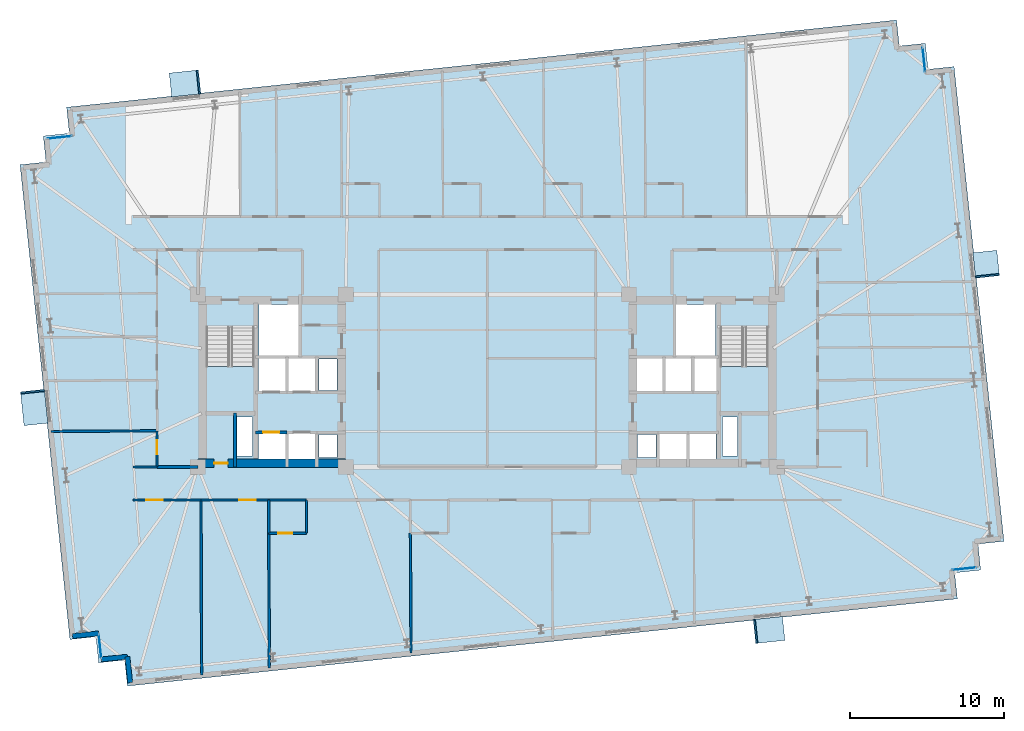
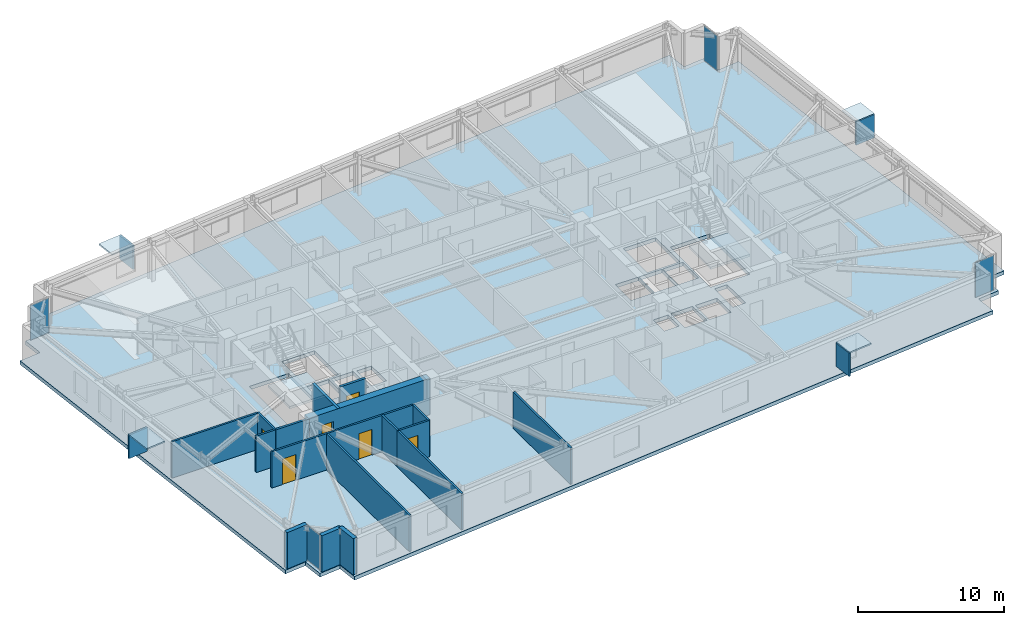
# One storey, part 11 of 19: 19 walls, 12 plates, 6 doors, 3 slabs, 6 openings, 6 elements without a shape of their own.
"""IFC4 building model written with IfcOpenShell, lengths in metres."""

import ifcopenshell
import ifcopenshell.guid

model = None  # the IFC model being written
_history = None  # IfcOwnerHistory: only IFC2X3 demands one
_inside = {}  # id of a spatial element -> (the spatial element, [elements in it])
_under = {}  # id of a project, library or spatial element -> (it, [spatial elements below it])
_declared = {}  # id of a project -> (the project, [libraries it declares])
_typed = {}  # id of a type object -> (the type object, [elements of that type])
_made_of = {}  # id of a material, layer set ... -> (it, [elements and type objects made of it])


def new_model(schema):
    """Start an empty IFC model of exactly this schema.

    Asked for "IFC4X3", IfcOpenShell would pick the latest addendum, in which some entities
    have other attributes; the version numbers below select the first issue.
    IFC2X3 requires an IfcOwnerHistory on every rooted entity: one is made here for all.
    """
    global model, _history
    if schema == "IFC4X3":
        model = ifcopenshell.file(schema_version=(4, 3, 0, 0))
    else:
        model = ifcopenshell.file(schema=schema)
    _inside.clear()
    _under.clear()
    _declared.clear()
    _typed.clear()
    _made_of.clear()
    _history = None
    if model.schema == "IFC2X3":
        org = make("IfcOrganization", Name="unknown")
        user = make(
            "IfcPersonAndOrganization",
            ThePerson=make("IfcPerson", FamilyName="unknown"),
            TheOrganization=org,
        )
        app = make(
            "IfcApplication",
            ApplicationDeveloper=org,
            Version="unknown",
            ApplicationFullName="unknown",
            ApplicationIdentifier="unknown",
        )
        _history = make(
            "IfcOwnerHistory",
            OwningUser=user,
            OwningApplication=app,
            ChangeAction="ADDED",
            CreationDate=0,
        )
    return model


def make(cls, **values):
    """One entity of the class cls with the attributes given. An attribute that is None is left unset."""
    return model.create_entity(
        cls, **{name: value for name, value in values.items() if value is not None}
    )


def rooted(cls, **values):
    """An entity with a GlobalId (a new one), such as an element, a storey or a relation."""
    return make(cls, GlobalId=ifcopenshell.guid.new(), OwnerHistory=_history, **values)


def si_unit(unit_type, name, prefix=None):
    """IfcSIUnit, for example si_unit("LENGTHUNIT", "METRE", prefix="MILLI")."""
    return make("IfcSIUnit", UnitType=unit_type, Prefix=prefix, Name=name)


def assignment(units):
    """IfcUnitAssignment: the units of a project."""
    return None if units is None else make("IfcUnitAssignment", Units=units)


def point(xyz):
    """IfcCartesianPoint."""
    return None if xyz is None else make("IfcCartesianPoint", Coordinates=xyz)


def direction(xyz):
    """IfcDirection."""
    return None if xyz is None else make("IfcDirection", DirectionRatios=xyz)


def frame(location, z_axis=None, x_axis=None):
    """IfcAxis2Placement3D, a coordinate frame: its origin and axes. An axis left out is left unset."""
    return make(
        "IfcAxis2Placement3D",
        Location=point(location),
        Axis=direction(z_axis),
        RefDirection=direction(x_axis),
    )


def frame_2d(location, x_axis=None):
    """IfcAxis2Placement2D, a coordinate frame in the plane: its origin and x axis."""
    return make(
        "IfcAxis2Placement2D", Location=point(location), RefDirection=direction(x_axis)
    )


def origin():
    """The frame at (0, 0, 0) with its axes left unset."""
    return frame((0.0, 0.0, 0.0))


def origin_2d():
    """The frame at (0, 0) in the plane with its x axis left unset."""
    return frame_2d((0.0, 0.0))


def place(relative_to, where):
    """IfcLocalPlacement: puts the frame where relative to a parent placement (None: the world)."""
    return make(
        "IfcLocalPlacement", PlacementRelTo=relative_to, RelativePlacement=where
    )


def context(
    kind, dimensions, precision=None, world=None, true_north=None, identifier=None
):
    """IfcGeometricRepresentationContext, for example the 3D "Model" context."""
    return make(
        "IfcGeometricRepresentationContext",
        ContextIdentifier=identifier,
        ContextType=kind,
        CoordinateSpaceDimension=dimensions,
        Precision=precision,
        WorldCoordinateSystem=world,
        TrueNorth=true_north,
    )


def subcontext(parent, identifier, kind, view, scale=None):
    """IfcGeometricRepresentationSubContext, for example "Body" below "Model"."""
    return make(
        "IfcGeometricRepresentationSubContext",
        ContextIdentifier=identifier,
        ContextType=kind,
        ParentContext=parent,
        TargetScale=scale,
        TargetView=view,
    )


def project(units=None, contexts=None):
    """IfcProject with its units and contexts."""
    return rooted(
        "IfcProject",
        Name="project",
        RepresentationContexts=contexts,
        UnitsInContext=assignment(units),
    )


def spatial(cls, under=None, at=None, **own):
    """A site, building, storey or space (cls), placed at a placement, below another one or the project."""
    s = rooted(cls, ObjectPlacement=at, **own)
    if under is not None:
        _under.setdefault(under.id(), (under, []))[1].append(s)
    return s


def polyline(points):
    """IfcPolyline through the points."""
    return make("IfcPolyline", Points=[point(p) for p in points])


def profile(cls, at=None, kind="AREA", **sizes):
    """A parametric profile (cls). Its sizes go by their IFC names, for example OverallWidth=200.0."""
    return make(cls, ProfileType=kind, Position=at, **sizes)


def rectangle(**sizes):
    """IfcRectangleProfileDef."""
    return profile("IfcRectangleProfileDef", **sizes)


def outline(outer, holes=None, kind="AREA"):
    """IfcArbitraryClosedProfileDef: a profile drawn as a closed curve; with holes, ...WithVoids."""
    if holes is None:
        return make("IfcArbitraryClosedProfileDef", ProfileType=kind, OuterCurve=outer)
    return make(
        "IfcArbitraryProfileDefWithVoids",
        ProfileType=kind,
        OuterCurve=outer,
        InnerCurves=holes,
    )


def extrude(swept, where, along, depth):
    """IfcExtrudedAreaSolid: the profile swept, set in the frame where, extruded along a direction by depth."""
    return make(
        "IfcExtrudedAreaSolid",
        SweptArea=swept,
        Position=where,
        ExtrudedDirection=direction(along),
        Depth=depth,
    )


def shape(context_of_items, identifier, shape_type, items):
    """IfcShapeRepresentation: the items that make up one representation, for example the "Body"."""
    return make(
        "IfcShapeRepresentation",
        ContextOfItems=context_of_items,
        RepresentationIdentifier=identifier,
        RepresentationType=shape_type,
        Items=items,
    )


def material(Name=None, Category=None):
    """IfcMaterial."""
    return make("IfcMaterial", Name=Name, Category=Category)


def layer(
    of_material, thickness, ventilated=None, Name=None, Category=None, Priority=None
):
    """IfcMaterialLayer: one layer of a wall or slab, of a material (None: an air gap)."""
    return make(
        "IfcMaterialLayer",
        Material=of_material,
        LayerThickness=thickness,
        IsVentilated=ventilated,
        Name=Name,
        Category=Category,
        Priority=Priority,
    )


def layer_set(layers, Name=None):
    """IfcMaterialLayerSet."""
    return make("IfcMaterialLayerSet", MaterialLayers=layers, LayerSetName=Name)


def made_of(thing, what):
    """Note that an element or type object is made of a material, layer set ...; save() writes the relation."""
    if what is not None:
        _made_of.setdefault(what.id(), (what, []))[1].append(thing)
    return thing


def type_object(cls, material=None, **own):
    """A type object (cls), such as IfcWallType, which elements share."""
    return made_of(rooted(cls, **own), material)


def element(
    cls,
    number,
    at=None,
    inside=None,
    cuts=None,
    type_object=None,
    material=None,
    context=None,
    identifier="Body",
    shape_type=None,
    held_by="IfcProductDefinitionShape",
    body=None,
    shapes=None,
    **own,
):
    """One element of the class cls, such as IfcWall. Its Tag is "e" and its number.

    at: its placement. inside: the storey or other place that contains it. cuts: it is an
    opening in that element (IfcRelVoidsElement). A single representation is given by context,
    identifier, shape_type and body (its items); several are given by shapes. held_by: the class
    of the entity that holds the representations. save() writes the other relations.
    """
    e = rooted(cls, Tag="e%d" % number, ObjectPlacement=at, **own)
    if body is not None:
        shapes = [shape(context, identifier, shape_type, body)]
    if shapes is not None:
        e.Representation = make(held_by, Representations=shapes)
    if inside is not None:
        _inside.setdefault(inside.id(), (inside, []))[1].append(e)
    if cuts is not None:
        rooted(
            "IfcRelVoidsElement", RelatingBuildingElement=cuts, RelatedOpeningElement=e
        )
    if type_object is not None:
        _typed.setdefault(type_object.id(), (type_object, []))[1].append(e)
    return made_of(e, material)


def fill(opening, filler):
    """IfcRelFillsElement: the door or window that sits in an opening."""
    return rooted(
        "IfcRelFillsElement",
        RelatingOpeningElement=opening,
        RelatedBuildingElement=filler,
    )


def aggregate(whole, parts):
    """IfcRelAggregates: a whole, such as a stair, and the parts it consists of."""
    return rooted("IfcRelAggregates", RelatingObject=whole, RelatedObjects=parts)


def save(model, path):
    """Write the relations noted so far, then the file.

    IfcRelAggregates (storeys below a building ...), IfcRelContainedInSpatialStructure (elements
    in a storey), IfcRelDefinesByType, IfcRelAssociatesMaterial and IfcRelDeclares: one each for
    every whole, place, type object, material and project.
    """
    for whole, parts in _under.values():
        aggregate(whole, parts)
    for where, things in _inside.values():
        rooted(
            "IfcRelContainedInSpatialStructure",
            RelatedElements=things,
            RelatingStructure=where,
        )
    for kind, things in _typed.values():
        rooted("IfcRelDefinesByType", RelatedObjects=things, RelatingType=kind)
    for what, things in _made_of.values():
        rooted("IfcRelAssociatesMaterial", RelatedObjects=things, RelatingMaterial=what)
    for by, libraries in _declared.values():
        rooted("IfcRelDeclares", RelatingContext=by, RelatedDefinitions=libraries)
    model.write(path)


model = new_model("IFC4")

# Units and contexts
model_context = context("Model", 3, precision=1e-05, world=origin(), true_north=direction((0.0, 1.0)))
body_context = subcontext(model_context, "Body", "Model", "MODEL_VIEW")
ifc_project = project(units=[si_unit("LENGTHUNIT", "METRE"), si_unit("AREAUNIT", "SQUARE_METRE"), si_unit("VOLUMEUNIT", "CUBIC_METRE"), si_unit("PLANEANGLEUNIT", "RADIAN"), si_unit("MASSUNIT", "GRAM", prefix="KILO")], contexts=[model_context])

# Site, building, storey
site_placement = place(None, origin())
site = spatial("IfcSite", under=ifc_project, at=site_placement, CompositionType="ELEMENT")
building_placement = place(site_placement, origin())
building = spatial("IfcBuilding", under=site, at=building_placement, Name="Qobustan Lattice House", CompositionType="ELEMENT")
storey_placement = place(building_placement, frame((0.0, 0.0, 82.35009765625)))
storey = spatial("IfcBuildingStorey", under=building, at=storey_placement, Name="L22", CompositionType="ELEMENT", Elevation=82.35009765625)

# Curtain wall, plate
ifc_material_1 = material(Name="Anodised aluminium and low-E glazing", Category="aluminium")
ifc_layer_1 = layer(ifc_material_1, 0.219970703125)
ifc_layer_set_1 = layer_set([ifc_layer_1], Name="Anodised aluminium and low-E glazing")
curtain_wall_type = type_object("IfcCurtainWallType", Name="CW-FAC-01", PredefinedType="USERDEFINED", material=ifc_layer_set_1)
curtain_wall_1_placement = place(storey_placement, origin())
curtain_wall_1 = element("IfcCurtainWall", 1, at=curtain_wall_1_placement, inside=storey, type_object=curtain_wall_type, Name="L22 serrated corner faceted glazing 3", ObjectType="CURTAIN WALL", PredefinedType="USERDEFINED")
ifc_material_2 = material(Name="Clear low-E laminated glass", Category="glass")
ifc_layer_2 = layer(ifc_material_2, 0.031982421875)
ifc_layer_set_2 = layer_set([ifc_layer_2], Name="Clear low-E laminated glass")
plate_type_1 = type_object("IfcPlateType", Name="CWP-VISION-32", PredefinedType="CURTAIN_PANEL", material=ifc_layer_set_2)
plate_1_placement = place(storey_placement, frame((-25.155029296875, -17.2509765625, 0.06494140625), z_axis=(0.0, 0.0, 1.0), x_axis=(-0.104528620025, 0.994521878892, 0.0)))
plate_1 = element("IfcPlate", 2, at=plate_1_placement, type_object=plate_type_1, Name="CW-F1 panel 1.1", PredefinedType="CURTAIN_PANEL", context=body_context, shape_type="SweptSolid", body=[
    extrude(rectangle(XDim=1.56005859375, YDim=0.031982421875, at=origin_2d()), origin(), (0.0, 0.0, 1.0), 2.9150390625),
])
aggregate(curtain_wall_1, [plate_1])

curtain_wall_2_placement = place(storey_placement, origin())
curtain_wall_2 = element("IfcCurtainWall", 3, at=curtain_wall_2_placement, inside=storey, type_object=curtain_wall_type, Name="L22 serrated corner faceted glazing 8", ObjectType="CURTAIN WALL", PredefinedType="USERDEFINED")
plate_2_placement = place(storey_placement, frame((-27.77490234375, 15.80615234375, 0.06494140625), z_axis=(0.0, 0.0, 1.0), x_axis=(0.994521878892, 0.104528620025, 0.0)))
plate_2 = element("IfcPlate", 4, at=plate_2_placement, type_object=plate_type_1, Name="CW-F1 panel 1.1", PredefinedType="CURTAIN_PANEL", context=body_context, shape_type="SweptSolid", body=[
    extrude(rectangle(XDim=1.56005859375, YDim=0.031982421875, at=origin_2d()), origin(), (0.0, 0.0, 1.0), 2.9150390625),
])
aggregate(curtain_wall_2, [plate_2])

curtain_wall_3_placement = place(storey_placement, origin())
curtain_wall_3 = element("IfcCurtainWall", 5, at=curtain_wall_3_placement, inside=storey, type_object=curtain_wall_type, Name="L22 serrated corner faceted glazing 13", ObjectType="CURTAIN WALL", PredefinedType="USERDEFINED")
plate_3_placement = place(storey_placement, frame((28.355224609375, 20.85107421875, 0.06494140625), z_axis=(0.0, 0.0, 1.0), x_axis=(0.104528620025, -0.994521878892, 0.0)))
plate_3 = element("IfcPlate", 6, at=plate_3_placement, type_object=plate_type_1, Name="CW-F1 panel 1.1", PredefinedType="CURTAIN_PANEL", context=body_context, shape_type="SweptSolid", body=[
    extrude(rectangle(XDim=1.56005859375, YDim=0.031982421875, at=origin_2d()), origin(), (0.0, 0.0, 1.0), 2.9150390625),
])
aggregate(curtain_wall_3, [plate_3])

curtain_wall_4_placement = place(storey_placement, origin())
curtain_wall_4 = element("IfcCurtainWall", 7, at=curtain_wall_4_placement, inside=storey, type_object=curtain_wall_type, Name="L22 serrated corner faceted glazing 18", ObjectType="CURTAIN WALL", PredefinedType="USERDEFINED")
plate_4_placement = place(storey_placement, frame((30.974853515625, -12.206298828125, 0.06494140625), z_axis=(0.0, 0.0, 1.0), x_axis=(-0.994521878892, -0.104528620025, 0.0)))
plate_4 = element("IfcPlate", 8, at=plate_4_placement, type_object=plate_type_1, Name="CW-F1 panel 1.1", PredefinedType="CURTAIN_PANEL", context=body_context, shape_type="SweptSolid", body=[
    extrude(rectangle(XDim=1.56005859375, YDim=0.031982421875, at=origin_2d()), origin(), (0.0, 0.0, 1.0), 2.9150390625),
])
aggregate(curtain_wall_4, [plate_4])

# Plates
ifc_material_3 = material(Name="Qobustan limestone GFRC", Category="masonry")
ifc_layer_3 = layer(ifc_material_3, 0.1201171875)
ifc_layer_set_3 = layer_set([ifc_layer_3], Name="Qobustan limestone GFRC")
plate_type_2 = type_object("IfcPlateType", Name="SHD-HOOD-BROW", PredefinedType="USERDEFINED", material=ifc_layer_set_3)
plate_5_placement = place(storey_placement, frame((-29.4296875, -1.743408203125, 2.699951171875), z_axis=(0.0, 0.0, 1.0), x_axis=(-0.104528463268, 0.994521895368, 0.0)))
element("IfcPlate", 9, at=plate_5_placement, inside=storey, type_object=plate_type_2, Name="L22 splayed Qobustan stone hood brow", ObjectType="SUNSHADE", PredefinedType="USERDEFINED", context=body_context, shape_type="SweptSolid", body=[
    extrude(rectangle(XDim=2.18994140625, YDim=1.56005859375, at=origin_2d()), origin(), (0.0, 0.0, 1.0), 0.1201171875),
])
plate_6_placement = place(storey_placement, frame((-29.537841796875, -0.714111328125, 0.7900390625), z_axis=(0.0, 0.0, 1.0), x_axis=(-0.104528463268, 0.994521895368, 0.0)))
element("IfcPlate", 10, at=plate_6_placement, inside=storey, type_object=plate_type_2, Name="L22 splayed Qobustan stone hood cheek", ObjectType="SUNSHADE", PredefinedType="USERDEFINED", context=body_context, shape_type="SweptSolid", body=[
    extrude(rectangle(XDim=0.1201171875, YDim=1.56005859375, at=origin_2d()), origin(), (0.0, 0.0, 1.0), 1.969970703125),
])
plate_7_placement = place(storey_placement, frame((-19.640380859375, 19.3056640625, 2.699951171875), z_axis=(0.0, 0.0, 1.0), x_axis=(0.994521895368, 0.104528463268, 0.0)))
element("IfcPlate", 11, at=plate_7_placement, inside=storey, type_object=plate_type_2, Name="L22 splayed Qobustan stone hood brow", ObjectType="SUNSHADE", PredefinedType="USERDEFINED", context=body_context, shape_type="SweptSolid", body=[
    extrude(rectangle(XDim=1.889892578125, YDim=1.56005859375, at=origin_2d()), origin(), (0.0, 0.0, 1.0), 0.1201171875),
])
plate_8_placement = place(storey_placement, frame((-18.76025390625, 19.398193359375, 0.7900390625), z_axis=(0.0, 0.0, 1.0), x_axis=(0.994521895368, 0.104528463268, 0.0)))
element("IfcPlate", 12, at=plate_8_placement, inside=storey, type_object=plate_type_2, Name="L22 splayed Qobustan stone hood cheek", ObjectType="SUNSHADE", PredefinedType="USERDEFINED", context=body_context, shape_type="SweptSolid", body=[
    extrude(rectangle(XDim=0.1201171875, YDim=1.56005859375, at=origin_2d()), origin(), (0.0, 0.0, 1.0), 1.969970703125),
])
plate_9_placement = place(storey_placement, frame((32.39501953125, 7.573974609375, 2.699951171875), z_axis=(0.0, 0.0, 1.0), x_axis=(0.104528463268, -0.994521895368, 0.0)))
element("IfcPlate", 13, at=plate_9_placement, inside=storey, type_object=plate_type_2, Name="L22 splayed Qobustan stone hood brow", ObjectType="SUNSHADE", PredefinedType="USERDEFINED", context=body_context, shape_type="SweptSolid", body=[
    extrude(rectangle(XDim=1.639892578125, YDim=1.56005859375, at=origin_2d()), origin(), (0.0, 0.0, 1.0), 0.1201171875),
])
plate_10_placement = place(storey_placement, frame((32.474609375, 6.818115234375, 0.7900390625), z_axis=(0.0, 0.0, 1.0), x_axis=(0.104528463268, -0.994521895368, 0.0)))
element("IfcPlate", 14, at=plate_10_placement, inside=storey, type_object=plate_type_2, Name="L22 splayed Qobustan stone hood cheek", ObjectType="SUNSHADE", PredefinedType="USERDEFINED", context=body_context, shape_type="SweptSolid", body=[
    extrude(rectangle(XDim=0.1201171875, YDim=1.56005859375, at=origin_2d()), origin(), (0.0, 0.0, 1.0), 1.969970703125),
])
plate_11_placement = place(storey_placement, frame((18.302001953125, -16.1826171875, 2.699951171875), z_axis=(0.0, 0.0, 1.0), x_axis=(-0.994521895368, -0.104528463268, 0.0)))
element("IfcPlate", 15, at=plate_11_placement, inside=storey, type_object=plate_type_2, Name="L22 splayed Qobustan stone hood brow", ObjectType="SUNSHADE", PredefinedType="USERDEFINED", context=body_context, shape_type="SweptSolid", body=[
    extrude(rectangle(XDim=1.889892578125, YDim=1.56005859375, at=origin_2d()), origin(), (0.0, 0.0, 1.0), 0.1201171875),
])
plate_12_placement = place(storey_placement, frame((17.421875, -16.275146484375, 0.7900390625), z_axis=(0.0, 0.0, 1.0), x_axis=(-0.994521895368, -0.104528463268, 0.0)))
element("IfcPlate", 16, at=plate_12_placement, inside=storey, type_object=plate_type_2, Name="L22 splayed Qobustan stone hood cheek", ObjectType="SUNSHADE", PredefinedType="USERDEFINED", context=body_context, shape_type="SweptSolid", body=[
    extrude(rectangle(XDim=0.1201171875, YDim=1.56005859375, at=origin_2d()), origin(), (0.0, 0.0, 1.0), 1.969970703125),
])

# Slab
ifc_material_4 = material(Name="Concrete C40/50", Category="concrete")
ifc_layer_4 = layer(ifc_material_4, 0.304931640625)
ifc_layer_set_4 = layer_set([ifc_layer_4], Name="Concrete C40/50")
slab_type_1 = type_object("IfcSlabType", Name="SLB-FLR-305", PredefinedType="FLOOR", material=ifc_layer_set_4)
slab_1_placement = place(storey_placement, frame((0.0, 0.0, -0.30517578125)))
element("IfcSlab", 17, at=slab_1_placement, inside=storey, type_object=slab_type_1, Name="L22 structural floor slab", PredefinedType="FLOOR", context=body_context, shape_type="SweptSolid", body=[
    extrude(outline(polyline([(-23.3759765625, -19.8291015625), (30.527099609375, -14.163818359375), (30.349365234375, -12.47314453125), (32.0400390625, -12.29541015625), (31.8623046875, -10.604736328125), (33.552978515625, -10.427001953125), (30.312744140625, 20.4033203125), (28.6220703125, 20.2255859375), (28.4443359375, 21.916259765625), (26.753662109375, 21.738525390625), (26.575927734375, 23.42919921875), (-27.3271484375, 17.763671875), (-27.1494140625, 16.072998046875), (-28.840087890625, 15.8955078125), (-28.662353515625, 14.20458984375), (-30.35302734375, 14.027099609375), (-27.11279296875, -16.80322265625), (-25.422119140625, -16.62548828125), (-25.244384765625, -18.316162109375), (-23.5537109375, -18.138427734375), (-23.3759765625, -19.8291015625)]), holes=[polyline([(-18.25, -2.050048828125), (-18.25, 3.489990234375), (-15.1298828125, 3.489990234375), (-15.1298828125, -2.050048828125), (-18.25, -2.050048828125)]), polyline([(15.1298828125, -2.050048828125), (15.1298828125, 3.489990234375), (18.25, 3.489990234375), (18.25, -2.050048828125), (15.1298828125, -2.050048828125)]), polyline([(-14.820068359375, 1.64990234375), (-14.820068359375, 4.9599609375), (-12.25, 4.9599609375), (-12.25, 1.64990234375), (-14.820068359375, 1.64990234375)]), polyline([(12.25, 1.64990234375), (12.25, 4.9599609375), (14.820068359375, 4.9599609375), (14.820068359375, 1.64990234375), (12.25, 1.64990234375)]), polyline([(-16.260009765625, -4.8798828125), (-16.260009765625, -2.360107421875), (-15.260009765625, -2.360107421875), (-15.260009765625, -4.8798828125), (-16.260009765625, -4.8798828125)]), polyline([(15.260009765625, -4.8798828125), (15.260009765625, -2.360107421875), (16.260009765625, -2.360107421875), (16.260009765625, -4.8798828125), (15.260009765625, -4.8798828125)]), polyline([(-14.85009765625, -5.35009765625), (-14.85009765625, -3.419921875), (-13.1201171875, -3.419921875), (-13.1201171875, -5.35009765625), (-14.85009765625, -5.35009765625)]), polyline([(-12.919921875, -5.35009765625), (-12.919921875, -3.419921875), (-11.179931640625, -3.419921875), (-11.179931640625, -5.35009765625), (-12.919921875, -5.35009765625)]), polyline([(-14.85009765625, -0.679931640625), (-14.85009765625, 1.47998046875), (-13.1201171875, 1.47998046875), (-13.1201171875, -0.679931640625), (-14.85009765625, -0.679931640625)]), polyline([(-12.919921875, -0.679931640625), (-12.919921875, 1.47998046875), (-11.179931640625, 1.47998046875), (-11.179931640625, -0.679931640625), (-12.919921875, -0.679931640625)]), polyline([(-10.93994140625, -5.0), (-10.93994140625, -3.47998046875), (-9.760009765625, -3.47998046875), (-9.760009765625, -5.0), (-10.93994140625, -5.0)]), polyline([(-10.93994140625, -0.6201171875), (-10.93994140625, 1.419921875), (-9.760009765625, 1.419921875), (-9.760009765625, -0.6201171875), (-10.93994140625, -0.6201171875)]), polyline([(11.179931640625, -5.35009765625), (11.179931640625, -3.419921875), (12.919921875, -3.419921875), (12.919921875, -5.35009765625), (11.179931640625, -5.35009765625)]), polyline([(13.1201171875, -5.35009765625), (13.1201171875, -3.419921875), (14.85009765625, -3.419921875), (14.85009765625, -5.35009765625), (13.1201171875, -5.35009765625)]), polyline([(9.760009765625, -5.0), (9.760009765625, -3.47998046875), (10.93994140625, -3.47998046875), (10.93994140625, -5.0), (9.760009765625, -5.0)]), polyline([(13.360107421875, -0.679931640625), (13.360107421875, 1.47998046875), (14.97998046875, 1.47998046875), (14.97998046875, -0.679931640625), (13.360107421875, -0.679931640625)]), polyline([(9.6201171875, -0.679931640625), (9.6201171875, 1.47998046875), (11.43994140625, 1.47998046875), (11.43994140625, -0.679931640625), (9.6201171875, -0.679931640625)]), polyline([(11.5, -0.679931640625), (11.5, 1.47998046875), (13.320068359375, 1.47998046875), (13.320068359375, -0.679931640625), (11.5, -0.679931640625)])]), origin(), (0.0, 0.0, 1.0), 0.30517578125),
])

# Stair, slab
ifc_material_5 = material(Name="Concrete C40/50", Category="concrete")
stair_type = type_object("IfcStairType", Name="STR-CORE-DOGLEG", PredefinedType="HALF_TURN_STAIR", material=ifc_material_5)
stair_1_placement = place(storey_placement, origin())
stair_1 = element("IfcStair", 18, at=stair_1_placement, inside=storey, type_object=stair_type, Name="L22 West protected exit stair ST-W1", PredefinedType="HALF_TURN_STAIR")
ifc_material_6 = material(Name="Concrete C40/50", Category="concrete")
ifc_layer_5 = layer(ifc_material_6, 0.199951171875)
ifc_layer_set_5 = layer_set([ifc_layer_5], Name="Concrete C40/50")
slab_type_2 = type_object("IfcSlabType", Name="SLB-LANDING-200", PredefinedType="LANDING", material=ifc_layer_set_5)
slab_2_placement = place(storey_placement, frame((0.0, 0.0, 1.474853515625)))
slab_2 = element("IfcSlab", 19, at=slab_2_placement, type_object=slab_type_2, Name="ST-W1 landing 1", PredefinedType="LANDING", context=body_context, shape_type="SweptSolid", body=[
    extrude(outline(polyline([(-18.25, 0.93505859375), (-18.25, -2.050048828125), (-15.1298828125, -2.050048828125), (-15.1298828125, 0.93505859375), (-18.25, 0.93505859375)])), origin(), (0.0, 0.0, 1.0), 0.199951171875),
])
aggregate(stair_1, [slab_2])

stair_2_placement = place(storey_placement, origin())
stair_2 = element("IfcStair", 20, at=stair_2_placement, inside=storey, type_object=stair_type, Name="L22 East protected exit stair ST-E1", PredefinedType="HALF_TURN_STAIR")
slab_3_placement = place(storey_placement, frame((0.0, 0.0, 1.474853515625)))
slab_3 = element("IfcSlab", 21, at=slab_3_placement, type_object=slab_type_2, Name="ST-E1 landing 1", PredefinedType="LANDING", context=body_context, shape_type="SweptSolid", body=[
    extrude(outline(polyline([(15.1298828125, 0.93505859375), (15.1298828125, -2.050048828125), (18.25, -2.050048828125), (18.25, 0.93505859375), (15.1298828125, 0.93505859375)])), origin(), (0.0, 0.0, 1.0), 0.199951171875),
])
aggregate(stair_2, [slab_3])

# Wall, opening, door
ifc_material_7 = material(Name="Concrete C60/75", Category="concrete")
ifc_layer_6 = layer(ifc_material_7, 0.56005859375)
ifc_layer_set_6 = layer_set([ifc_layer_6], Name="Concrete C60/75")
wall_type_1 = type_object("IfcWallType", Name="WAL-CORE-600", PredefinedType="SHEAR", material=ifc_layer_set_6)
wall_1_placement = place(storey_placement, frame((-18.800048828125, -5.35009765625, 0.0), z_axis=(0.0, 0.0, 1.0), x_axis=(1.0, 0.0, 0.0)))
wall_1 = element("IfcWall", 22, at=wall_1_placement, inside=storey, type_object=wall_type_1, Name="L22 split-core shear wall CW-S", PredefinedType="SHEAR", context=body_context, shape_type="SweptSolid", body=[
    extrude(rectangle(XDim=9.60009765625, YDim=0.56005859375, at=frame_2d((4.800048828125, 0.0))), origin(), (0.0, 0.0, 1.0), 3.044921875),
])
opening_1_placement = place(wall_1_placement, frame((1.050048828125, 0.0, 0.0)))
opening_1 = element("IfcOpeningElement", 23, at=opening_1_placement, cuts=wall_1, Name="Opening RD-01", PredefinedType="OPENING", context=body_context, shape_type="SweptSolid", body=[
    extrude(rectangle(XDim=0.89990234375, YDim=2.10009765625, at=frame_2d((0.449951171875, 1.050048828125))), frame((0.0, 0.2900390625, 0.0), z_axis=(0.0, -1.0, 0.0), x_axis=(1.0, 0.0, 0.0)), (0.0, 0.0, 1.0), 0.580078125),
])
ifc_material_8 = material(Name="Persian walnut timber and steel frame door", Category="steel")
door_type_1 = type_object("IfcDoorType", Name="DOR-RISER-FD-900x2100", OperationType="NOTDEFINED", PredefinedType="DOOR", material=ifc_material_8)
door_1_placement = place(opening_1_placement, origin())
door_1 = element("IfcDoor", 24, at=door_1_placement, inside=storey, type_object=door_type_1, Name="L22 core service riser access door W", OperationType="SINGLE_SWING_LEFT", OverallHeight=2.10009765625, OverallWidth=0.89990234375, PredefinedType="DOOR", context=body_context, shape_type="SweptSolid", body=[
    extrude(rectangle(XDim=0.89990234375, YDim=2.10009765625, at=frame_2d((0.449951171875, 1.050048828125))), frame((0.0, 0.02490234375, 0.0), z_axis=(0.0, -1.0, 0.0), x_axis=(1.0, 0.0, 0.0)), (0.0, 0.0, 1.0), 0.050048828125),
])
fill(opening_1, door_1)

# Walls
ifc_material_9 = material(Name="Precast concrete C40/50", Category="concrete")
ifc_layer_7 = layer(ifc_material_9, 0.320068359375)
ifc_layer_set_7 = layer_set([ifc_layer_7], Name="Precast concrete C40/50")
wall_type_2 = type_object("IfcWallType", Name="WAL-EXT-STONE-320", PredefinedType="SOLIDWALL", material=ifc_layer_set_7)
for number, where, z_axis, x_axis, name in (
    (25, (-23.197998046875, -19.609375, 0.0), (0.0, 0.0, 1.0), (-0.104550220202, 0.994519608382, 0.0), "L22 exterior limestone-clad wall 1"),
    (26, (-23.375732421875, -17.918701171875, 0.0), (0.0, 0.0, 1.0), (-0.994519608382, -0.104550220202, 0.0), "L22 exterior limestone-clad wall 2"),
):
    element("IfcWall", number, at=place(storey_placement, frame(where, z_axis=z_axis, x_axis=x_axis)), inside=storey, type_object=wall_type_2, Name=name, PredefinedType="SOLIDWALL", context=body_context, shape_type="SweptSolid", body=[
        extrude(rectangle(XDim=1.699951171875, YDim=0.320068359375, at=frame_2d((0.85009765625, 0.0))), origin(), (0.0, 0.0, 1.0), 3.044921875),
    ])
wall_2_placement = place(storey_placement, frame((-25.243896484375, -16.40576171875, 0.0), z_axis=(0.0, 0.0, 1.0), x_axis=(-0.994521177842, -0.104535289845, 0.0)))
element("IfcWall", 27, at=wall_2_placement, inside=storey, type_object=wall_type_2, Name="L22 exterior limestone-clad wall 4", PredefinedType="SOLIDWALL", context=body_context, shape_type="SweptSolid", body=[
    extrude(rectangle(XDim=1.7001953125, YDim=0.320068359375, at=frame_2d((0.85009765625, 0.0))), origin(), (0.0, 0.0, 1.0), 3.044921875),
])
ifc_material_10 = material(Name="Gypsum fireboard acoustic partition", Category="gypsum")
ifc_layer_8 = layer(ifc_material_10, 0.179931640625)
ifc_layer_set_8 = layer_set([ifc_layer_8], Name="Gypsum fireboard acoustic partition")
wall_type_3 = type_object("IfcWallType", Name="WAL-FIRE-180", PredefinedType="PARTITIONING", material=ifc_layer_set_8)
wall_3_placement = place(storey_placement, frame((-21.449951171875, -5.60009765625, 0.0), z_axis=(0.0, 0.0, 1.0), x_axis=(1.0, 0.0, 0.0)))
element("IfcWall", 28, at=wall_3_placement, inside=storey, type_object=wall_type_3, Name="L22 interior partition 56", PredefinedType="PARTITIONING", context=body_context, shape_type="SweptSolid", body=[
    extrude(rectangle(XDim=2.64990234375, YDim=0.179931640625, at=frame_2d((1.324951171875, 0.0))), origin(), (0.0, 0.0, 1.0), 3.044921875),
])

# Wall, opening, door
ifc_material_11 = material(Name="Acoustic twin-stud gypsum partition", Category="gypsum")
ifc_layer_9 = layer(ifc_material_11, 0.14990234375)
ifc_layer_set_9 = layer_set([ifc_layer_9], Name="Acoustic twin-stud gypsum partition")
wall_type_4 = type_object("IfcWallType", Name="WAL-PART-150", PredefinedType="PARTITIONING", material=ifc_layer_set_9)
wall_4_placement = place(storey_placement, frame((-18.60009765625, -7.75, 0.0), z_axis=(0.0, 0.0, 1.0), x_axis=(-1.0, 0.0, 0.0)))
wall_4 = element("IfcWall", 29, at=wall_4_placement, inside=storey, type_object=wall_type_4, Name="L22 interior partition 58", PredefinedType="PARTITIONING", context=body_context, shape_type="SweptSolid", body=[
    extrude(rectangle(XDim=4.39990234375, YDim=0.14990234375, at=frame_2d((2.199951171875, 0.0))), origin(), (0.0, 0.0, 1.0), 3.044921875),
])
opening_2_placement = place(wall_4_placement, frame((2.49609375, 0.0, 0.0)))
opening_2 = element("IfcOpeningElement", 30, at=opening_2_placement, cuts=wall_4, Name="Opening ID-02", PredefinedType="OPENING", context=body_context, shape_type="SweptSolid", body=[
    extrude(rectangle(XDim=1.050048828125, YDim=2.14990234375, at=frame_2d((0.52490234375, 1.074951171875))), frame((0.0, 0.0849609375, 0.0), z_axis=(0.0, -1.0, 0.0), x_axis=(1.0, 0.0, 0.0)), (0.0, 0.0, 1.0), 0.169921875),
])
ifc_material_12 = material(Name="Persian walnut timber and steel frame door", Category="steel")
door_type_2 = type_object("IfcDoorType", Name="DOR-STUDY-1050x2150", OperationType="NOTDEFINED", PredefinedType="DOOR", material=ifc_material_12)
door_2_placement = place(opening_2_placement, origin())
door_2 = element("IfcDoor", 31, at=door_2_placement, inside=storey, type_object=door_type_2, Name="L22 South-west floor corridor to Focus study room S1A door", OperationType="SINGLE_SWING_LEFT", OverallHeight=2.14990234375, OverallWidth=1.050048828125, PredefinedType="DOOR", context=body_context, shape_type="SweptSolid", body=[
    extrude(rectangle(XDim=1.050048828125, YDim=2.14990234375, at=frame_2d((0.52490234375, 1.074951171875))), frame((0.0, 0.02490234375, 0.0), z_axis=(0.0, -1.0, 0.0), x_axis=(1.0, 0.0, 0.0)), (0.0, 0.0, 1.0), 0.050048828125),
])
fill(opening_2, door_2)

wall_5_placement = place(storey_placement, frame((-14.199951171875, -7.75, 0.0), z_axis=(0.0, 0.0, 1.0), x_axis=(-1.0, 0.0, 0.0)))
wall_5 = element("IfcWall", 32, at=wall_5_placement, inside=storey, type_object=wall_type_4, Name="L22 interior partition 59", PredefinedType="PARTITIONING", context=body_context, shape_type="SweptSolid", body=[
    extrude(rectangle(XDim=4.400146484375, YDim=0.14990234375, at=frame_2d((2.2001953125, 0.0))), origin(), (0.0, 0.0, 1.0), 3.044921875),
])
opening_3_placement = place(wall_5_placement, frame((0.853759765625, 0.0, 0.0)))
opening_3 = element("IfcOpeningElement", 33, at=opening_3_placement, cuts=wall_5, Name="Opening ID-02", PredefinedType="OPENING", context=body_context, shape_type="SweptSolid", body=[
    extrude(rectangle(XDim=1.050048828125, YDim=2.14990234375, at=frame_2d((0.52490234375, 1.074951171875))), frame((0.0, 0.0849609375, 0.0), z_axis=(0.0, -1.0, 0.0), x_axis=(1.0, 0.0, 0.0)), (0.0, 0.0, 1.0), 0.169921875),
])
door_3_placement = place(opening_3_placement, origin())
door_3 = element("IfcDoor", 34, at=door_3_placement, inside=storey, type_object=door_type_2, Name="L22 South-west floor corridor to Focus study room S1B door", OperationType="SINGLE_SWING_RIGHT", OverallHeight=2.14990234375, OverallWidth=1.050048828125, PredefinedType="DOOR", context=body_context, shape_type="SweptSolid", body=[
    extrude(rectangle(XDim=1.050048828125, YDim=2.14990234375, at=frame_2d((0.52490234375, 1.074951171875))), frame((0.0, 0.02490234375, 0.0), z_axis=(0.0, -1.0, 0.0), x_axis=(1.0, 0.0, 0.0)), (0.0, 0.0, 1.0), 0.050048828125),
])
fill(opening_3, door_3)

# Walls
wall_6_placement = place(storey_placement, frame((-18.60009765625, -7.75, 0.0), z_axis=(0.0, 0.0, 1.0), x_axis=(0.003864456523, -0.99999253296, 0.0)))
element("IfcWall", 35, at=wall_6_placement, inside=storey, type_object=wall_type_4, Name="L22 interior partition 115", PredefinedType="PARTITIONING", context=body_context, shape_type="SweptSolid", body=[
    extrude(rectangle(XDim=11.37158203125, YDim=0.14990234375, at=frame_2d((5.685791015625, 0.0))), origin(), (0.0, 0.0, 1.0), 3.044921875),
])
wall_7_placement = place(storey_placement, frame((-14.199951171875, -9.89990234375, 0.0), z_axis=(0.0, 0.0, 1.0), x_axis=(0.005017078758, -0.999987414381, 0.0)))
element("IfcWall", 36, at=wall_7_placement, inside=storey, type_object=wall_type_4, Name="L22 interior partition 116", PredefinedType="PARTITIONING", context=body_context, shape_type="SweptSolid", body=[
    extrude(rectangle(XDim=8.759033203125, YDim=0.14990234375, at=frame_2d((4.37939453125, 0.0))), origin(), (0.0, 0.0, 1.0), 3.044921875),
])
wall_8_placement = place(storey_placement, frame((-5.0, -9.89990234375, 0.0), z_axis=(0.0, 0.0, 1.0), x_axis=(0.005639538101, -0.999984097679, 0.0)))
element("IfcWall", 37, at=wall_8_placement, inside=storey, type_object=wall_type_4, Name="L22 interior partition 120", PredefinedType="PARTITIONING", context=body_context, shape_type="SweptSolid", body=[
    extrude(rectangle(XDim=7.79248046875, YDim=0.14990234375, at=frame_2d((3.896240234375, 0.0))), origin(), (0.0, 0.0, 1.0), 3.044921875),
])
ifc_material_13 = material(Name="Concrete C40/50", Category="concrete")
ifc_layer_10 = layer(ifc_material_13, 0.199951171875)
ifc_layer_set_10 = layer_set([ifc_layer_10], Name="Concrete C40/50")
wall_type_5 = type_object("IfcWallType", Name="WAL-SHAFT-200", PredefinedType="PARTITIONING", material=ifc_layer_set_10)
wall_9_placement = place(storey_placement, frame((-16.39990234375, -5.60009765625, 0.0), z_axis=(0.0, 0.0, 1.0), x_axis=(0.0, 1.0, 0.0)))
element("IfcWall", 38, at=wall_9_placement, inside=storey, type_object=wall_type_5, Name="L22 interior partition 1", PredefinedType="PARTITIONING", context=body_context, shape_type="SweptSolid", body=[
    extrude(rectangle(XDim=3.489990234375, YDim=0.199951171875, at=frame_2d((1.7451171875, 0.0))), origin(), (0.0, 0.0, 1.0), 3.044921875),
])

# Wall, opening, door
wall_10_placement = place(storey_placement, frame((-15.050048828125, -3.35009765625, 0.0), z_axis=(0.0, 0.0, 1.0), x_axis=(1.0, 0.0, 0.0)))
wall_10 = element("IfcWall", 39, at=wall_10_placement, inside=storey, type_object=wall_type_5, Name="L22 interior partition 9", PredefinedType="PARTITIONING", context=body_context, shape_type="SweptSolid", body=[
    extrude(rectangle(XDim=2.030029296875, YDim=0.199951171875, at=frame_2d((1.01513671875, 0.0))), origin(), (0.0, 0.0, 1.0), 3.044921875),
])
opening_4_placement = place(wall_10_placement, frame((0.489990234375, 0.0, 0.0)))
opening_4 = element("IfcOpeningElement", 40, at=opening_4_placement, cuts=wall_10, Name="Opening LD-01", PredefinedType="OPENING", context=body_context, shape_type="SweptSolid", body=[
    extrude(rectangle(XDim=1.050048828125, YDim=2.10009765625, at=frame_2d((0.52490234375, 1.050048828125))), frame((0.0, 0.10986328125, 0.0), z_axis=(0.0, -1.0, 0.0), x_axis=(1.0, 0.0, 0.0)), (0.0, 0.0, 1.0), 0.219970703125),
])
ifc_material_14 = material(Name="Persian walnut timber and steel frame door", Category="steel")
door_type_3 = type_object("IfcDoorType", Name="DOR-LIFT-LD-1050x2100", OperationType="NOTDEFINED", PredefinedType="DOOR", material=ifc_material_14)
door_4_placement = place(opening_4_placement, origin())
door_4 = element("IfcDoor", 41, at=door_4_placement, inside=storey, type_object=door_type_3, Name="L22 lift landing door", OperationType="DOUBLE_DOOR_SLIDING", OverallHeight=2.10009765625, OverallWidth=1.050048828125, PredefinedType="DOOR", context=body_context, shape_type="SweptSolid", body=[
    extrude(rectangle(XDim=1.050048828125, YDim=2.10009765625, at=frame_2d((0.52490234375, 1.050048828125))), frame((0.0, 0.02490234375, 0.0), z_axis=(0.0, -1.0, 0.0), x_axis=(1.0, 0.0, 0.0)), (0.0, 0.0, 1.0), 0.050048828125),
])
fill(opening_4, door_4)

# Walls
ifc_material_15 = material(Name="Moisture-resistant acoustic plumbing wall", Category="gypsum")
ifc_layer_11 = layer(ifc_material_15, 0.14990234375)
ifc_layer_set_11 = layer_set([ifc_layer_11], Name="Moisture-resistant acoustic plumbing wall")
wall_type_6 = type_object("IfcWallType", Name="WAL-WET-150", PredefinedType="PLUMBINGWALL", material=ifc_layer_set_11)
wall_11_placement = place(storey_placement, frame((-23.0, -5.60009765625, 0.0), z_axis=(0.0, 0.0, 1.0), x_axis=(1.0, 0.0, 0.0)))
element("IfcWall", 42, at=wall_11_placement, inside=storey, type_object=wall_type_6, Name="L22 interior partition 57", PredefinedType="PLUMBINGWALL", context=body_context, shape_type="SweptSolid", body=[
    extrude(rectangle(XDim=1.550048828125, YDim=0.14990234375, at=frame_2d((0.77490234375, 0.0))), origin(), (0.0, 0.0, 1.0), 3.044921875),
])
wall_12_placement = place(storey_placement, frame((-11.75, -7.75, 0.0), z_axis=(0.0, 0.0, 1.0), x_axis=(-1.0, 0.0, 0.0)))
element("IfcWall", 43, at=wall_12_placement, inside=storey, type_object=wall_type_6, Name="L22 interior partition 61", PredefinedType="PLUMBINGWALL", context=body_context, shape_type="SweptSolid", body=[
    extrude(rectangle(XDim=2.449951171875, YDim=0.14990234375, at=frame_2d((1.22509765625, 0.0))), origin(), (0.0, 0.0, 1.0), 3.044921875),
])

# Wall, opening, door
wall_13_placement = place(storey_placement, frame((-21.449951171875, -5.60009765625, 0.0), z_axis=(0.0, 0.0, 1.0), x_axis=(0.0, 1.0, 0.0)))
wall_13 = element("IfcWall", 44, at=wall_13_placement, inside=storey, type_object=wall_type_6, Name="L22 interior partition 75", PredefinedType="PLUMBINGWALL", context=body_context, shape_type="SweptSolid", body=[
    extrude(rectangle(XDim=2.35009765625, YDim=0.14990234375, at=frame_2d((1.175048828125, 0.0))), origin(), (0.0, 0.0, 1.0), 3.044921875),
])
opening_5_placement = place(wall_13_placement, frame((0.833740234375, 0.0, 0.0)))
opening_5 = element("IfcOpeningElement", 45, at=opening_5_placement, cuts=wall_13, Name="Opening WD-01", PredefinedType="OPENING", context=body_context, shape_type="SweptSolid", body=[
    extrude(rectangle(XDim=0.89990234375, YDim=2.10009765625, at=frame_2d((0.449951171875, 1.050048828125))), frame((0.0, 0.0849609375, 0.0), z_axis=(0.0, -1.0, 0.0), x_axis=(1.0, 0.0, 0.0)), (0.0, 0.0, 1.0), 0.169921875),
])
ifc_material_16 = material(Name="Persian walnut timber and steel frame door", Category="steel")
door_type_4 = type_object("IfcDoorType", Name="DOR-WET-900x2100", OperationType="NOTDEFINED", PredefinedType="DOOR", material=ifc_material_16)
door_5_placement = place(opening_5_placement, origin())
door_5 = element("IfcDoor", 46, at=door_5_placement, inside=storey, type_object=door_type_4, Name="L22 Residence entrance hall L22W to Shared bathroom L22W door", OperationType="SINGLE_SWING_LEFT", OverallHeight=2.10009765625, OverallWidth=0.89990234375, PredefinedType="DOOR", context=body_context, shape_type="SweptSolid", body=[
    extrude(rectangle(XDim=0.89990234375, YDim=2.10009765625, at=frame_2d((0.449951171875, 1.050048828125))), frame((0.0, 0.02490234375, 0.0), z_axis=(0.0, -1.0, 0.0), x_axis=(1.0, 0.0, 0.0)), (0.0, 0.0, 1.0), 0.050048828125),
])
fill(opening_5, door_5)

# Walls
wall_14_placement = place(storey_placement, frame((-28.33154296875, -3.2939453125, 0.0), z_axis=(0.0, 0.0, 1.0), x_axis=(0.99997961062, 0.006385792383, 0.0)))
element("IfcWall", 47, at=wall_14_placement, inside=storey, type_object=wall_type_6, Name="L22 interior partition 80", PredefinedType="PLUMBINGWALL", context=body_context, shape_type="SweptSolid", body=[
    extrude(rectangle(XDim=6.8818359375, YDim=0.14990234375, at=frame_2d((3.44091796875, 0.0))), origin(), (0.0, 0.0, 1.0), 3.044921875),
])
wall_15_placement = place(storey_placement, frame((-14.199951171875, -7.75, 0.0), z_axis=(0.0, 0.0, 1.0), x_axis=(0.0, -1.0, 0.0)))
element("IfcWall", 48, at=wall_15_placement, inside=storey, type_object=wall_type_6, Name="L22 interior partition 117", PredefinedType="PLUMBINGWALL", context=body_context, shape_type="SweptSolid", body=[
    extrude(rectangle(XDim=2.14990234375, YDim=0.14990234375, at=frame_2d((1.074951171875, 0.0))), origin(), (0.0, 0.0, 1.0), 3.044921875),
])

# Wall, opening, door
wall_16_placement = place(storey_placement, frame((-14.199951171875, -9.89990234375, 0.0), z_axis=(0.0, 0.0, 1.0), x_axis=(1.0, 0.0, 0.0)))
wall_16 = element("IfcWall", 49, at=wall_16_placement, inside=storey, type_object=wall_type_6, Name="L22 interior partition 118", PredefinedType="PLUMBINGWALL", context=body_context, shape_type="SweptSolid", body=[
    extrude(rectangle(XDim=2.449951171875, YDim=0.14990234375, at=frame_2d((1.22509765625, 0.0))), origin(), (0.0, 0.0, 1.0), 3.044921875),
])
opening_6_placement = place(wall_16_placement, frame((0.628662109375, 0.0, 0.0)))
opening_6 = element("IfcOpeningElement", 50, at=opening_6_placement, cuts=wall_16, Name="Opening WD-01", PredefinedType="OPENING", context=body_context, shape_type="SweptSolid", body=[
    extrude(rectangle(XDim=0.89990234375, YDim=2.10009765625, at=frame_2d((0.449951171875, 1.050048828125))), frame((0.0, 0.0849609375, 0.0), z_axis=(0.0, -1.0, 0.0), x_axis=(1.0, 0.0, 0.0)), (0.0, 0.0, 1.0), 0.169921875),
])
door_6_placement = place(opening_6_placement, origin())
door_6 = element("IfcDoor", 51, at=door_6_placement, inside=storey, type_object=door_type_4, Name="L22 Kitchenette and studio apartment L22-S2 to En-suite bathroom L22-S2 door", OperationType="SINGLE_SWING_RIGHT", OverallHeight=2.10009765625, OverallWidth=0.89990234375, PredefinedType="DOOR", context=body_context, shape_type="SweptSolid", body=[
    extrude(rectangle(XDim=0.89990234375, YDim=2.10009765625, at=frame_2d((0.449951171875, 1.050048828125))), frame((0.0, 0.02490234375, 0.0), z_axis=(0.0, -1.0, 0.0), x_axis=(1.0, 0.0, 0.0)), (0.0, 0.0, 1.0), 0.050048828125),
])
fill(opening_6, door_6)

# Wall
wall_17_placement = place(storey_placement, frame((-11.75, -9.89990234375, 0.0), z_axis=(0.0, 0.0, 1.0), x_axis=(0.0, 1.0, 0.0)))
element("IfcWall", 52, at=wall_17_placement, inside=storey, type_object=wall_type_6, Name="L22 interior partition 119", PredefinedType="PLUMBINGWALL", context=body_context, shape_type="SweptSolid", body=[
    extrude(rectangle(XDim=2.14990234375, YDim=0.14990234375, at=frame_2d((1.074951171875, 0.0))), origin(), (0.0, 0.0, 1.0), 3.044921875),
])

save(model, "model.ifc")
